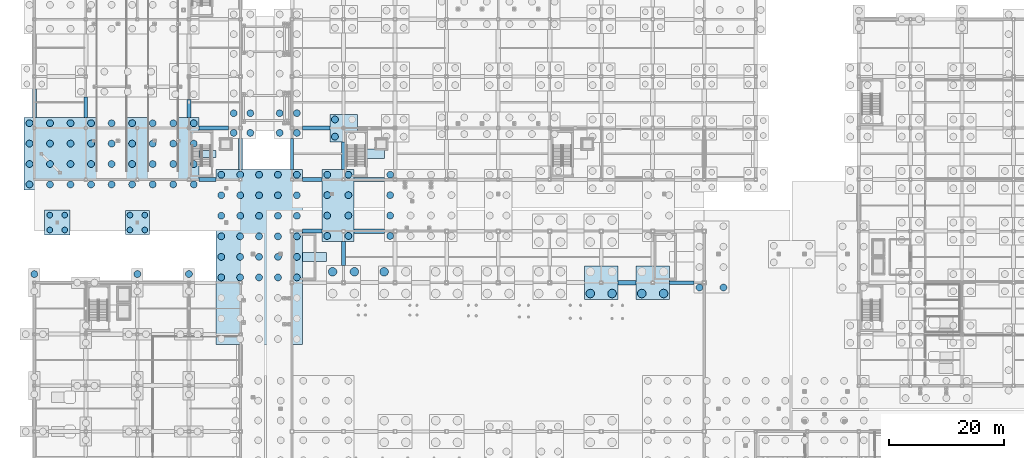
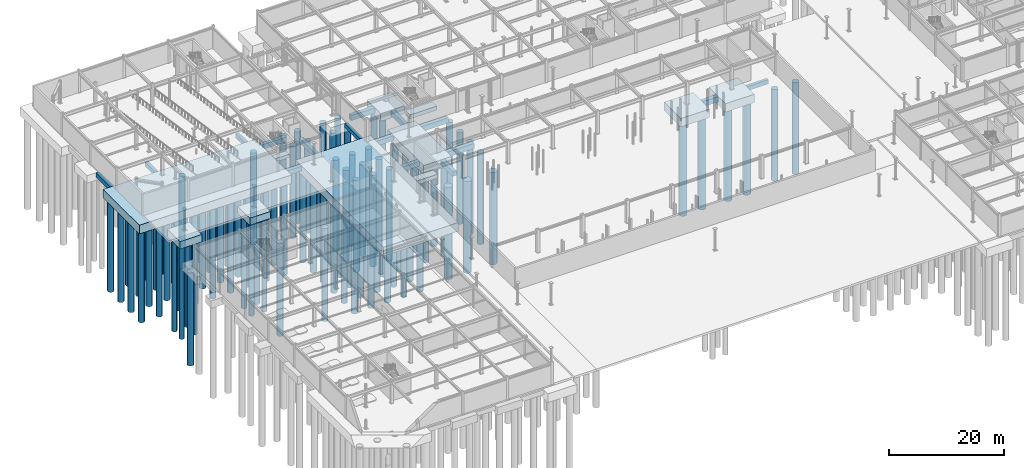
# One storey, part 4 of 74: 108 piles, 27 footings.
"""IFC4 building model written with IfcOpenShell, lengths in metres."""

from ifc_helpers import new_model, si_unit, direction, frame, origin, origin_2d, place, context, subcontext, project, spatial, polyline, rectangle, circle, outline, extrude, material, material_profile, profile_set, type_object, element, save


model = new_model("IFC4")

# Units and contexts
model_context = context("Model", 3, precision=1e-05, world=origin(), true_north=direction((0.0, 1.0)))
body_context = subcontext(model_context, "Body", "Model", "MODEL_VIEW")
ifc_project = project(units=[si_unit("LENGTHUNIT", "METRE"), si_unit("AREAUNIT", "SQUARE_METRE"), si_unit("VOLUMEUNIT", "CUBIC_METRE"), si_unit("PLANEANGLEUNIT", "RADIAN"), si_unit("MASSUNIT", "GRAM", prefix="KILO")], contexts=[model_context])

# Site, building, storey
site_placement = place(None, origin())
site = spatial("IfcSite", under=ifc_project, at=site_placement, CompositionType="ELEMENT")
building_placement = place(site_placement, origin())
building = spatial("IfcBuilding", under=site, at=building_placement, Name="Suzunagisa Mobility Hub", CompositionType="ELEMENT")
storey_placement = place(building_placement, frame((0.0, 0.0, -4.800048828125)))
storey = spatial("IfcBuildingStorey", under=building, at=storey_placement, Name="B1", CompositionType="ELEMENT", Elevation=-4.800048828125)

# Piles
ifc_material_1 = material(Name="Concrete C30/37", Category="concrete")
ifc_material_profile_1 = material_profile(ifc_material_1, circle(Radius=0.60009765625, at=origin_2d()), Name="BORED PILE D1200")
ifc_profile_set_1 = profile_set([ifc_material_profile_1], Name="Concrete C30/37")
pile_type_1 = type_object("IfcPileType", Name="Bored Pile PL-01 D1200", PredefinedType="BORED", material=ifc_profile_set_1)
pile_placement = place(storey_placement, frame((0.0, 63.5, -1.919921875), z_axis=(0.0, 0.0, -1.0), x_axis=(1.0, 0.0, 0.0)))
element("IfcPile", 1, at=pile_placement, inside=storey, type_object=pile_type_1, Name="Bored Pile 6.2", PredefinedType="BORED", context=body_context, shape_type="SweptSolid", body=[
    extrude(circle(Radius=0.60009765625, at=origin_2d()), origin(), (0.0, 0.0, 1.0), 19.780029296875),
])
for number, where, z_axis, x_axis, name in (
    (2, (-0.85009765625, 79.14990234375, -2.159912109375), (0.0, 0.0, -1.0), (1.0, 0.0, 0.0), "Bored Pile 7.1"),
    (3, (-0.85009765625, 82.716796875, -2.159912109375), (0.0, 0.0, -1.0), (1.0, 0.0, 0.0), "Bored Pile 7.2"),
    (4, (-0.85009765625, 86.283203125, -2.159912109375), (0.0, 0.0, -1.0), (1.0, 0.0, 0.0), "Bored Pile 7.3"),
    (5, (-0.85009765625, 89.85009765625, -2.159912109375), (0.0, 0.0, -1.0), (1.0, 0.0, 0.0), "Bored Pile 7.4"),
    (6, (2.737548828125, 79.14990234375, -2.159912109375), (0.0, 0.0, -1.0), (1.0, 0.0, 0.0), "Bored Pile 7.5"),
    (7, (2.737548828125, 82.716796875, -2.159912109375), (0.0, 0.0, -1.0), (1.0, 0.0, 0.0), "Bored Pile 7.6"),
    (8, (2.737548828125, 86.283203125, -2.159912109375), (0.0, 0.0, -1.0), (1.0, 0.0, 0.0), "Bored Pile 7.7"),
    (9, (2.737548828125, 89.85009765625, -2.159912109375), (0.0, 0.0, -1.0), (1.0, 0.0, 0.0), "Bored Pile 7.8"),
    (10, (6.324951171875, 79.14990234375, -2.159912109375), (0.0, 0.0, -1.0), (1.0, 0.0, 0.0), "Bored Pile 7.9"),
    (11, (6.324951171875, 82.716796875, -2.159912109375), (0.0, 0.0, -1.0), (1.0, 0.0, 0.0), "Bored Pile 7.10"),
    (12, (6.324951171875, 86.283203125, -2.159912109375), (0.0, 0.0, -1.0), (1.0, 0.0, 0.0), "Bored Pile 7.11"),
    (13, (6.324951171875, 89.85009765625, -2.159912109375), (0.0, 0.0, -1.0), (1.0, 0.0, 0.0), "Bored Pile 7.12"),
    (14, (9.91259765625, 79.14990234375, -2.159912109375), (0.0, 0.0, -1.0), (1.0, 0.0, 0.0), "Bored Pile 7.13"),
    (15, (9.91259765625, 82.716796875, -2.159912109375), (0.0, 0.0, -1.0), (1.0, 0.0, 0.0), "Bored Pile 7.14"),
    (16, (9.91259765625, 86.283203125, -2.159912109375), (0.0, 0.0, -1.0), (1.0, 0.0, 0.0), "Bored Pile 7.15"),
    (17, (9.91259765625, 89.85009765625, -2.159912109375), (0.0, 0.0, -1.0), (1.0, 0.0, 0.0), "Bored Pile 7.16"),
    (18, (13.5, 79.14990234375, -2.159912109375), (0.0, 0.0, -1.0), (1.0, 0.0, 0.0), "Bored Pile 7.17"),
    (19, (13.5, 82.716796875, -2.159912109375), (0.0, 0.0, -1.0), (1.0, 0.0, 0.0), "Bored Pile 7.18"),
    (20, (13.5, 86.283203125, -2.159912109375), (0.0, 0.0, -1.0), (1.0, 0.0, 0.0), "Bored Pile 7.19"),
    (21, (13.5, 89.85009765625, -2.159912109375), (0.0, 0.0, -1.0), (1.0, 0.0, 0.0), "Bored Pile 7.20"),
    (22, (17.08740234375, 79.14990234375, -2.159912109375), (0.0, 0.0, -1.0), (1.0, 0.0, 0.0), "Bored Pile 7.21"),
    (23, (17.08740234375, 82.716796875, -2.159912109375), (0.0, 0.0, -1.0), (1.0, 0.0, 0.0), "Bored Pile 7.22"),
    (24, (17.08740234375, 86.283203125, -2.159912109375), (0.0, 0.0, -1.0), (1.0, 0.0, 0.0), "Bored Pile 7.23"),
    (25, (17.08740234375, 89.85009765625, -2.159912109375), (0.0, 0.0, -1.0), (1.0, 0.0, 0.0), "Bored Pile 7.24"),
    (26, (20.675048828125, 79.14990234375, -2.159912109375), (0.0, 0.0, -1.0), (1.0, 0.0, 0.0), "Bored Pile 7.25"),
    (27, (20.675048828125, 82.716796875, -2.159912109375), (0.0, 0.0, -1.0), (1.0, 0.0, 0.0), "Bored Pile 7.26"),
    (28, (20.675048828125, 86.283203125, -2.159912109375), (0.0, 0.0, -1.0), (1.0, 0.0, 0.0), "Bored Pile 7.27"),
    (29, (20.675048828125, 89.85009765625, -2.159912109375), (0.0, 0.0, -1.0), (1.0, 0.0, 0.0), "Bored Pile 7.28"),
    (30, (24.262451171875, 79.14990234375, -2.159912109375), (0.0, 0.0, -1.0), (1.0, 0.0, 0.0), "Bored Pile 7.29"),
    (31, (24.262451171875, 82.716796875, -2.159912109375), (0.0, 0.0, -1.0), (1.0, 0.0, 0.0), "Bored Pile 7.30"),
    (32, (24.262451171875, 86.283203125, -2.159912109375), (0.0, 0.0, -1.0), (1.0, 0.0, 0.0), "Bored Pile 7.31"),
    (33, (24.262451171875, 89.85009765625, -2.159912109375), (0.0, 0.0, -1.0), (1.0, 0.0, 0.0), "Bored Pile 7.32"),
    (34, (27.85009765625, 79.14990234375, -2.159912109375), (0.0, 0.0, -1.0), (1.0, 0.0, 0.0), "Bored Pile 7.33"),
    (35, (27.85009765625, 82.716796875, -2.159912109375), (0.0, 0.0, -1.0), (1.0, 0.0, 0.0), "Bored Pile 7.34"),
    (36, (27.85009765625, 86.283203125, -2.159912109375), (0.0, 0.0, -1.0), (1.0, 0.0, 0.0), "Bored Pile 7.35"),
    (37, (27.85009765625, 89.85009765625, -2.159912109375), (0.0, 0.0, -1.0), (1.0, 0.0, 0.0), "Bored Pile 7.36"),
):
    element("IfcPile", number, at=place(storey_placement, frame(where, z_axis=z_axis, x_axis=x_axis)), inside=storey, type_object=pile_type_1, Name=name, PredefinedType="BORED", context=body_context, shape_type="SweptSolid", body=[
        extrude(circle(Radius=0.60009765625, at=origin_2d()), origin(), (0.0, 0.0, 1.0), 19.5400390625),
    ])
for number, where, z_axis, x_axis, name in (
    (38, (18.0, 63.5, -1.919921875), (0.0, 0.0, -1.0), (1.0, 0.0, 0.0), "Bored Pile 24.2"),
    (39, (27.0, 63.5, -1.919921875), (0.0, 0.0, -1.0), (1.0, 0.0, 0.0), "Bored Pile 34.2"),
):
    element("IfcPile", number, at=place(storey_placement, frame(where, z_axis=z_axis, x_axis=x_axis)), inside=storey, type_object=pile_type_1, Name=name, PredefinedType="BORED", context=body_context, shape_type="SweptSolid", body=[
        extrude(circle(Radius=0.60009765625, at=origin_2d()), origin(), (0.0, 0.0, 1.0), 19.780029296875),
    ])
for number, where, z_axis, x_axis, name in (
    (40, (32.64990234375, 62.91259765625, -2.199951171875), (0.0, 0.0, -1.0), (1.0, 0.0, 0.0), "Bored Pile 35.4"),
    (41, (32.64990234375, 66.5, -2.199951171875), (0.0, 0.0, -1.0), (1.0, 0.0, 0.0), "Bored Pile 35.5"),
    (42, (32.64990234375, 70.08740234375, -2.199951171875), (0.0, 0.0, -1.0), (1.0, 0.0, 0.0), "Bored Pile 35.6"),
    (43, (32.64990234375, 73.675048828125, -2.199951171875), (0.0, 0.0, -1.0), (1.0, 0.0, 0.0), "Bored Pile 35.7"),
    (44, (32.64990234375, 77.262451171875, -2.199951171875), (0.0, 0.0, -1.0), (1.0, 0.0, 0.0), "Bored Pile 35.8"),
    (45, (32.64990234375, 80.85009765625, -2.199951171875), (0.0, 0.0, -1.0), (1.0, 0.0, 0.0), "Bored Pile 35.9"),
    (46, (35.949951171875, 62.91259765625, -2.199951171875), (0.0, 0.0, -1.0), (1.0, 0.0, 0.0), "Bored Pile 35.13"),
    (47, (35.949951171875, 66.5, -2.199951171875), (0.0, 0.0, -1.0), (1.0, 0.0, 0.0), "Bored Pile 35.14"),
    (48, (35.949951171875, 70.08740234375, -2.199951171875), (0.0, 0.0, -1.0), (1.0, 0.0, 0.0), "Bored Pile 35.15"),
    (49, (35.949951171875, 73.675048828125, -2.199951171875), (0.0, 0.0, -1.0), (1.0, 0.0, 0.0), "Bored Pile 35.16"),
    (50, (35.949951171875, 77.262451171875, -2.199951171875), (0.0, 0.0, -1.0), (1.0, 0.0, 0.0), "Bored Pile 35.17"),
    (51, (35.949951171875, 80.85009765625, -2.199951171875), (0.0, 0.0, -1.0), (1.0, 0.0, 0.0), "Bored Pile 35.18"),
    (52, (39.25, 62.91259765625, -2.199951171875), (0.0, 0.0, -1.0), (1.0, 0.0, 0.0), "Bored Pile 35.22"),
    (53, (39.25, 66.5, -2.199951171875), (0.0, 0.0, -1.0), (1.0, 0.0, 0.0), "Bored Pile 35.23"),
    (54, (39.25, 70.08740234375, -2.199951171875), (0.0, 0.0, -1.0), (1.0, 0.0, 0.0), "Bored Pile 35.24"),
    (55, (39.25, 73.675048828125, -2.199951171875), (0.0, 0.0, -1.0), (1.0, 0.0, 0.0), "Bored Pile 35.25"),
    (56, (39.25, 77.262451171875, -2.199951171875), (0.0, 0.0, -1.0), (1.0, 0.0, 0.0), "Bored Pile 35.26"),
    (57, (39.25, 80.85009765625, -2.199951171875), (0.0, 0.0, -1.0), (1.0, 0.0, 0.0), "Bored Pile 35.27"),
    (58, (42.550048828125, 62.91259765625, -2.199951171875), (0.0, 0.0, -1.0), (1.0, 0.0, 0.0), "Bored Pile 35.31"),
    (59, (42.550048828125, 66.5, -2.199951171875), (0.0, 0.0, -1.0), (1.0, 0.0, 0.0), "Bored Pile 35.32"),
    (60, (42.550048828125, 70.08740234375, -2.199951171875), (0.0, 0.0, -1.0), (1.0, 0.0, 0.0), "Bored Pile 35.33"),
    (61, (42.550048828125, 73.675048828125, -2.199951171875), (0.0, 0.0, -1.0), (1.0, 0.0, 0.0), "Bored Pile 35.34"),
    (62, (42.550048828125, 77.262451171875, -2.199951171875), (0.0, 0.0, -1.0), (1.0, 0.0, 0.0), "Bored Pile 35.35"),
    (63, (42.550048828125, 80.85009765625, -2.199951171875), (0.0, 0.0, -1.0), (1.0, 0.0, 0.0), "Bored Pile 35.36"),
    (64, (45.85009765625, 62.91259765625, -2.199951171875), (0.0, 0.0, -1.0), (1.0, 0.0, 0.0), "Bored Pile 35.40"),
    (65, (45.85009765625, 66.5, -2.199951171875), (0.0, 0.0, -1.0), (1.0, 0.0, 0.0), "Bored Pile 35.41"),
    (66, (45.85009765625, 70.08740234375, -2.199951171875), (0.0, 0.0, -1.0), (1.0, 0.0, 0.0), "Bored Pile 35.42"),
    (67, (45.85009765625, 73.675048828125, -2.199951171875), (0.0, 0.0, -1.0), (1.0, 0.0, 0.0), "Bored Pile 35.43"),
    (68, (45.85009765625, 77.262451171875, -2.199951171875), (0.0, 0.0, -1.0), (1.0, 0.0, 0.0), "Bored Pile 35.44"),
    (69, (45.85009765625, 80.85009765625, -2.199951171875), (0.0, 0.0, -1.0), (1.0, 0.0, 0.0), "Bored Pile 35.45"),
):
    element("IfcPile", number, at=place(storey_placement, frame(where, z_axis=z_axis, x_axis=x_axis)), inside=storey, type_object=pile_type_1, Name=name, PredefinedType="BORED", context=body_context, shape_type="SweptSolid", body=[
        extrude(circle(Radius=0.60009765625, at=origin_2d()), origin(), (0.0, 0.0, 1.0), 19.5),
    ])
for number, where, z_axis, x_axis, name in (
    (70, (34.824951171875, 88.14990234375, -2.159912109375), (0.0, 0.0, -1.0), (1.0, 0.0, 0.0), "Bored Pile 39.1"),
    (71, (34.824951171875, 91.60009765625, -2.159912109375), (0.0, 0.0, -1.0), (1.0, 0.0, 0.0), "Bored Pile 39.2"),
    (72, (37.72509765625, 88.14990234375, -2.159912109375), (0.0, 0.0, -1.0), (1.0, 0.0, 0.0), "Bored Pile 39.8"),
    (73, (37.72509765625, 91.60009765625, -2.159912109375), (0.0, 0.0, -1.0), (1.0, 0.0, 0.0), "Bored Pile 39.9"),
):
    element("IfcPile", number, at=place(storey_placement, frame(where, z_axis=z_axis, x_axis=x_axis)), inside=storey, type_object=pile_type_1, Name=name, PredefinedType="BORED", context=body_context, shape_type="SweptSolid", body=[
        extrude(circle(Radius=0.60009765625, at=origin_2d()), origin(), (0.0, 0.0, 1.0), 19.5400390625),
    ])
for number, where, z_axis, x_axis, name in (
    (74, (42.85009765625, 88.14990234375, -2.199951171875), (0.0, 0.0, -1.0), (1.0, 0.0, 0.0), "Bored Pile 41.1"),
    (75, (42.85009765625, 91.60009765625, -2.199951171875), (0.0, 0.0, -1.0), (1.0, 0.0, 0.0), "Bored Pile 41.2"),
    (76, (45.85009765625, 88.14990234375, -2.199951171875), (0.0, 0.0, -1.0), (1.0, 0.0, 0.0), "Bored Pile 41.8"),
    (77, (45.85009765625, 91.60009765625, -2.199951171875), (0.0, 0.0, -1.0), (1.0, 0.0, 0.0), "Bored Pile 41.9"),
    (78, (51.14990234375, 70.14990234375, -2.199951171875), (0.0, 0.0, -1.0), (1.0, 0.0, 0.0), "Bored Pile 43.1"),
    (79, (51.14990234375, 73.716796875, -2.199951171875), (0.0, 0.0, -1.0), (1.0, 0.0, 0.0), "Bored Pile 43.2"),
    (80, (51.14990234375, 77.283203125, -2.199951171875), (0.0, 0.0, -1.0), (1.0, 0.0, 0.0), "Bored Pile 43.3"),
    (81, (51.14990234375, 80.85009765625, -2.199951171875), (0.0, 0.0, -1.0), (1.0, 0.0, 0.0), "Bored Pile 43.4"),
    (82, (54.85009765625, 70.14990234375, -2.199951171875), (0.0, 0.0, -1.0), (1.0, 0.0, 0.0), "Bored Pile 43.5"),
    (83, (54.85009765625, 73.716796875, -2.199951171875), (0.0, 0.0, -1.0), (1.0, 0.0, 0.0), "Bored Pile 43.6"),
    (84, (54.85009765625, 77.283203125, -2.199951171875), (0.0, 0.0, -1.0), (1.0, 0.0, 0.0), "Bored Pile 43.7"),
    (85, (54.85009765625, 80.85009765625, -2.199951171875), (0.0, 0.0, -1.0), (1.0, 0.0, 0.0), "Bored Pile 43.8"),
):
    element("IfcPile", number, at=place(storey_placement, frame(where, z_axis=z_axis, x_axis=x_axis)), inside=storey, type_object=pile_type_1, Name=name, PredefinedType="BORED", context=body_context, shape_type="SweptSolid", body=[
        extrude(circle(Radius=0.60009765625, at=origin_2d()), origin(), (0.0, 0.0, 1.0), 19.5),
    ])
for number, where, z_axis, x_axis, name in (
    (86, (52.5, 87.5, -2.0), (0.0, 0.0, -1.0), (1.0, 0.0, 0.0), "Bored Pile 45.1"),
    (87, (52.5, 90.5, -2.0), (0.0, 0.0, -1.0), (1.0, 0.0, 0.0), "Bored Pile 45.3"),
):
    element("IfcPile", number, at=place(storey_placement, frame(where, z_axis=z_axis, x_axis=x_axis)), inside=storey, type_object=pile_type_1, Name=name, PredefinedType="BORED", context=body_context, shape_type="SweptSolid", body=[
        extrude(circle(Radius=0.60009765625, at=origin_2d()), origin(), (0.0, 0.0, 1.0), 19.699951171875),
    ])
for number, where, z_axis, x_axis, name in (
    (88, (62.14990234375, 70.14990234375, -2.199951171875), (0.0, 0.0, -1.0), (1.0, 0.0, 0.0), "Bored Pile 52.1"),
    (89, (62.14990234375, 73.716796875, -2.199951171875), (0.0, 0.0, -1.0), (1.0, 0.0, 0.0), "Bored Pile 52.2"),
    (90, (62.14990234375, 77.283203125, -2.199951171875), (0.0, 0.0, -1.0), (1.0, 0.0, 0.0), "Bored Pile 52.3"),
    (91, (62.14990234375, 80.85009765625, -2.199951171875), (0.0, 0.0, -1.0), (1.0, 0.0, 0.0), "Bored Pile 52.4"),
):
    element("IfcPile", number, at=place(storey_placement, frame(where, z_axis=z_axis, x_axis=x_axis)), inside=storey, type_object=pile_type_1, Name=name, PredefinedType="BORED", context=body_context, shape_type="SweptSolid", body=[
        extrude(circle(Radius=0.60009765625, at=origin_2d()), origin(), (0.0, 0.0, 1.0), 19.5),
    ])
for number, where, z_axis, x_axis, name in (
    (92, (116.14990234375, 61.14990234375, -2.14990234375), (0.0, 0.0, -1.0), (1.0, 0.0, 0.0), "Bored Pile 89.1"),
    (93, (120.35009765625, 61.14990234375, -2.14990234375), (0.0, 0.0, -1.0), (1.0, 0.0, 0.0), "Bored Pile 89.5"),
):
    element("IfcPile", number, at=place(storey_placement, frame(where, z_axis=z_axis, x_axis=x_axis)), inside=storey, type_object=pile_type_1, Name=name, PredefinedType="BORED", context=body_context, shape_type="SweptSolid", body=[
        extrude(circle(Radius=0.60009765625, at=origin_2d()), origin(), (0.0, 0.0, 1.0), 19.550048828125),
    ])
ifc_material_profile_2 = material_profile(ifc_material_1, circle(Radius=0.5, at=origin_2d()), Name="BORED PILE D1000")
ifc_profile_set_2 = profile_set([ifc_material_profile_2], Name="Concrete C30/37")
pile_type_2 = type_object("IfcPileType", Name="Bored Pile PL-02 D1000", PredefinedType="BORED", material=ifc_profile_set_2)
for number, where, z_axis, x_axis, name in (
    (94, (2.699951171875, 71.199951171875, -1.869873046875), (0.0, 0.0, -1.0), (1.0, 0.0, 0.0), "Bored Pile 10.1"),
    (95, (5.300048828125, 71.199951171875, -1.869873046875), (0.0, 0.0, -1.0), (1.0, 0.0, 0.0), "Bored Pile 10.2"),
    (96, (2.699951171875, 73.800048828125, -1.869873046875), (0.0, 0.0, -1.0), (1.0, 0.0, 0.0), "Bored Pile 10.3"),
    (97, (5.300048828125, 73.800048828125, -1.869873046875), (0.0, 0.0, -1.0), (1.0, 0.0, 0.0), "Bored Pile 10.4"),
):
    element("IfcPile", number, at=place(storey_placement, frame(where, z_axis=z_axis, x_axis=x_axis)), inside=storey, type_object=pile_type_2, Name=name, PredefinedType="BORED", context=body_context, shape_type="SweptSolid", body=[
        extrude(circle(Radius=0.5, at=origin_2d()), origin(), (0.0, 0.0, 1.0), 19.830078125),
    ])
for number, where, z_axis, x_axis, name in (
    (98, (16.699951171875, 71.199951171875, -1.77001953125), (0.0, 0.0, -1.0), (1.0, 0.0, 0.0), "Bored Pile 25.1"),
    (99, (19.300048828125, 71.199951171875, -1.77001953125), (0.0, 0.0, -1.0), (1.0, 0.0, 0.0), "Bored Pile 25.2"),
    (100, (16.699951171875, 73.800048828125, -1.77001953125), (0.0, 0.0, -1.0), (1.0, 0.0, 0.0), "Bored Pile 25.3"),
    (101, (19.300048828125, 73.800048828125, -1.77001953125), (0.0, 0.0, -1.0), (1.0, 0.0, 0.0), "Bored Pile 25.4"),
):
    element("IfcPile", number, at=place(storey_placement, frame(where, z_axis=z_axis, x_axis=x_axis)), inside=storey, type_object=pile_type_2, Name=name, PredefinedType="BORED", context=body_context, shape_type="SweptSolid", body=[
        extrude(circle(Radius=0.5, at=origin_2d()), origin(), (0.0, 0.0, 1.0), 19.929931640625),
    ])
ifc_material_profile_3 = material_profile(ifc_material_1, circle(Radius=0.75, at=origin_2d()), Name="BORED PILE D1500")
ifc_profile_set_3 = profile_set([ifc_material_profile_3], Name="Concrete C30/37")
pile_type_3 = type_object("IfcPileType", Name="Bored Pile PL-03 D1500", PredefinedType="BORED", material=ifc_profile_set_3)
for number, where, z_axis, x_axis, name in (
    (102, (52.10009765625, 63.89990234375, -2.14990234375), (0.0, 0.0, -1.0), (1.0, 0.0, 0.0), "Bored Pile 44.3"),
    (103, (55.89990234375, 63.89990234375, -2.14990234375), (0.0, 0.0, -1.0), (1.0, 0.0, 0.0), "Bored Pile 44.4"),
):
    element("IfcPile", number, at=place(storey_placement, frame(where, z_axis=z_axis, x_axis=x_axis)), inside=storey, type_object=pile_type_3, Name=name, PredefinedType="BORED", context=body_context, shape_type="SweptSolid", body=[
        extrude(circle(Radius=0.75, at=origin_2d()), origin(), (0.0, 0.0, 1.0), 19.550048828125),
    ])
for number, where, z_axis, x_axis, name in (
    (104, (61.10009765625, 63.89990234375, -2.099853515625), (0.0, 0.0, -1.0), (1.0, 0.0, 0.0), "Bored Pile 51.3"),
    (105, (97.10009765625, 60.10009765625, -2.099853515625), (0.0, 0.0, -1.0), (1.0, 0.0, 0.0), "Bored Pile 75.1"),
    (106, (100.89990234375, 60.10009765625, -2.099853515625), (0.0, 0.0, -1.0), (1.0, 0.0, 0.0), "Bored Pile 75.2"),
    (107, (106.10009765625, 60.10009765625, -2.099853515625), (0.0, 0.0, -1.0), (1.0, 0.0, 0.0), "Bored Pile 83.1"),
    (108, (109.89990234375, 60.10009765625, -2.099853515625), (0.0, 0.0, -1.0), (1.0, 0.0, 0.0), "Bored Pile 83.2"),
):
    element("IfcPile", number, at=place(storey_placement, frame(where, z_axis=z_axis, x_axis=x_axis)), inside=storey, type_object=pile_type_3, Name=name, PredefinedType="BORED", context=body_context, shape_type="SweptSolid", body=[
        extrude(circle(Radius=0.75, at=origin_2d()), origin(), (0.0, 0.0, 1.0), 19.60009765625),
    ])

# Footings
ifc_material_2 = material(Name="Concrete C35/45", Category="concrete")
footing_type_1 = type_object("IfcFootingType", Name="Combined Prow Pile Cap FR-02 30600x12600x1850", PredefinedType="PILE_CAP", material=ifc_material_2)
footing_1_placement = place(storey_placement, frame((13.5, 84.5, -2.31005859375), z_axis=(0.0, 0.0, 1.0), x_axis=(1.0, 0.0, 0.0)))
element("IfcFooting", 109, at=footing_1_placement, inside=storey, type_object=footing_type_1, Name="Combined Prow Pile Cap 7", PredefinedType="PILE_CAP", context=body_context, shape_type="SweptSolid", body=[
    extrude(rectangle(XDim=30.60009765625, YDim=12.60009765625, at=origin_2d()), origin(), (0.0, 0.0, 1.0), 1.85009765625),
])
footing_type_2 = type_object("IfcFootingType", Name="Combined Prow Pile Cap FR-06 15100x30600x1850", PredefinedType="PILE_CAP", material=ifc_material_2)
footing_2_placement = place(storey_placement, frame((39.25, 66.5, -2.35009765625), z_axis=(0.0, 0.0, 1.0), x_axis=(1.0, 0.0, 0.0)))
element("IfcFooting", 110, at=footing_2_placement, inside=storey, type_object=footing_type_2, Name="Combined Prow Pile Cap 35", PredefinedType="PILE_CAP", context=body_context, shape_type="SweptSolid", body=[
    extrude(rectangle(XDim=15.10009765625, YDim=30.60009765625, at=origin_2d()), origin(), (0.0, 0.0, 1.0), 1.85009765625),
])
footing_type_3 = type_object("IfcFootingType", Name="Combined Prow Pile Cap FR-11 5600x12600x1850", PredefinedType="PILE_CAP", material=ifc_material_2)
footing_3_placement = place(storey_placement, frame((53.0, 75.5, -2.35009765625), z_axis=(0.0, 0.0, 1.0), x_axis=(1.0, 0.0, 0.0)))
element("IfcFooting", 111, at=footing_3_placement, inside=storey, type_object=footing_type_3, Name="Combined Prow Pile Cap 43", PredefinedType="PILE_CAP", context=body_context, shape_type="SweptSolid", body=[
    extrude(rectangle(XDim=5.60009765625, YDim=12.60009765625, at=origin_2d()), origin(), (0.0, 0.0, 1.0), 1.85009765625),
])
footing_type_4 = type_object("IfcFootingType", Name="Ground Tie Beam FT-03 750x1100", PredefinedType="FOOTING_BEAM", material=ifc_material_2)
footing_4_placement = place(storey_placement, frame((0.0, 0.0, -1.550048828125)))
element("IfcFooting", 112, at=footing_4_placement, inside=storey, type_object=footing_type_4, Name="Foundation Tie Beam TBX-72", PredefinedType="FOOTING_BEAM", context=body_context, shape_type="SweptSolid", body=[
    extrude(outline(polyline([(101.89990234375, 61.625), (105.10009765625, 61.625), (105.10009765625, 62.375), (101.89990234375, 62.375), (101.89990234375, 61.625)])), origin(), (0.0, 0.0, 1.0), 1.10009765625),
])
footing_5_placement = place(storey_placement, frame((0.0, 0.0, -1.599853515625)))
element("IfcFooting", 113, at=footing_5_placement, inside=storey, type_object=footing_type_4, Name="Foundation Tie Beam TBX-80", PredefinedType="FOOTING_BEAM", context=body_context, shape_type="SweptSolid", body=[
    extrude(outline(polyline([(55.800048828125, 70.625), (61.199951171875, 70.625), (61.199951171875, 71.375), (55.800048828125, 71.375), (55.800048828125, 70.625)])), origin(), (0.0, 0.0, 1.0), 1.099853515625),
])
footing_6_placement = place(storey_placement, frame((0.0, 0.0, -1.599853515625)))
element("IfcFooting", 114, at=footing_6_placement, inside=storey, type_object=footing_type_4, Name="Foundation Tie Beam TBX-92", PredefinedType="FOOTING_BEAM", context=body_context, shape_type="SweptSolid", body=[
    extrude(outline(polyline([(55.800048828125, 79.625), (61.199951171875, 79.625), (61.199951171875, 80.375), (55.800048828125, 80.375), (55.800048828125, 79.625)])), origin(), (0.0, 0.0, 1.0), 1.099853515625),
])
footing_7_placement = place(storey_placement, frame((0.0, 0.0, -1.599853515625)))
element("IfcFooting", 115, at=footing_7_placement, inside=storey, type_object=footing_type_4, Name="Foundation Tie Beam TBX-104", PredefinedType="FOOTING_BEAM", context=body_context, shape_type="SweptSolid", body=[
    extrude(outline(polyline([(46.800048828125, 88.625), (51.60009765625, 88.625), (51.60009765625, 89.375), (46.800048828125, 89.375), (46.800048828125, 88.625)])), origin(), (0.0, 0.0, 1.0), 1.099853515625),
])
footing_8_placement = place(storey_placement, frame((0.0, 0.0, -1.599853515625)))
element("IfcFooting", 116, at=footing_8_placement, inside=storey, type_object=footing_type_4, Name="Foundation Tie Beam TBY-184", PredefinedType="FOOTING_BEAM", context=body_context, shape_type="SweptSolid", body=[
    extrude(outline(polyline([(53.625, 81.800048828125), (54.375, 81.800048828125), (54.375, 86.60009765625), (53.625, 86.60009765625), (53.625, 81.800048828125)])), origin(), (0.0, 0.0, 1.0), 1.099853515625),
])
footing_type_5 = type_object("IfcFootingType", Name="Ground Tie Beam FT-05 600x900", PredefinedType="FOOTING_BEAM", material=ifc_material_2)
footing_9_placement = place(storey_placement, frame((0.0, 0.0, -1.349853515625)))
element("IfcFooting", 117, at=footing_9_placement, inside=storey, type_object=footing_type_5, Name="Foundation Tie Beam TBX-73", PredefinedType="FOOTING_BEAM", context=body_context, shape_type="SweptSolid", body=[
    extrude(outline(polyline([(110.89990234375, 61.699951171875), (115.199951171875, 61.699951171875), (115.199951171875, 62.300048828125), (110.89990234375, 62.300048828125), (110.89990234375, 61.699951171875)])), origin(), (0.0, 0.0, 1.0), 0.89990234375),
])
footing_10_placement = place(storey_placement, frame((0.0, 0.0, -1.39990234375)))
element("IfcFooting", 118, at=footing_10_placement, inside=storey, type_object=footing_type_5, Name="Foundation Tie Beam TBY-181", PredefinedType="FOOTING_BEAM", context=body_context, shape_type="SweptSolid", body=[
    extrude(outline(polyline([(44.699951171875, 81.800048828125), (45.300048828125, 81.800048828125), (45.300048828125, 87.199951171875), (44.699951171875, 87.199951171875), (44.699951171875, 81.800048828125)])), origin(), (0.0, 0.0, 1.0), 0.89990234375),
])
footing_type_6 = type_object("IfcFootingType", Name="Ground Tie Beam FT-07 650x950", PredefinedType="FOOTING_BEAM", material=ifc_material_2)
footing_11_placement = place(storey_placement, frame((0.0, 0.0, -1.449951171875)))
element("IfcFooting", 119, at=footing_11_placement, inside=storey, type_object=footing_type_6, Name="Foundation Tie Beam TBX-90", PredefinedType="FOOTING_BEAM", context=body_context, shape_type="SweptSolid", body=[
    extrude(outline(polyline([(28.800048828125, 79.675048828125), (31.699951171875, 79.675048828125), (31.699951171875, 80.324951171875), (28.800048828125, 80.324951171875), (28.800048828125, 79.675048828125)])), origin(), (0.0, 0.0, 1.0), 0.949951171875),
])
footing_12_placement = place(storey_placement, frame((0.0, 0.0, -1.409912109375)))
element("IfcFooting", 120, at=footing_12_placement, inside=storey, type_object=footing_type_6, Name="Foundation Tie Beam TBY-158", PredefinedType="FOOTING_BEAM", context=body_context, shape_type="SweptSolid", body=[
    extrude(outline(polyline([(8.675048828125, 90.800048828125), (9.324951171875, 90.800048828125), (9.324951171875, 94.39990234375), (8.675048828125, 94.39990234375), (8.675048828125, 90.800048828125)])), origin(), (0.0, 0.0, 1.0), 0.949951171875),
])
footing_13_placement = place(storey_placement, frame((0.0, 0.0, -1.409912109375)))
element("IfcFooting", 121, at=footing_13_placement, inside=storey, type_object=footing_type_6, Name="Foundation Tie Beam TBY-174", PredefinedType="FOOTING_BEAM", context=body_context, shape_type="SweptSolid", body=[
    extrude(outline(polyline([(26.675048828125, 90.800048828125), (27.324951171875, 90.800048828125), (27.324951171875, 93.9599609375), (26.675048828125, 93.9599609375), (26.675048828125, 90.800048828125)])), origin(), (0.0, 0.0, 1.0), 0.949951171875),
])
footing_type_7 = type_object("IfcFootingType", Name="Ground Tie Beam FT-23 700x1000", PredefinedType="FOOTING_BEAM", material=ifc_material_2)
footing_14_placement = place(storey_placement, frame((0.0, 0.0, -1.5)))
element("IfcFooting", 122, at=footing_14_placement, inside=storey, type_object=footing_type_7, Name="Foundation Tie Beam TBX-79", PredefinedType="FOOTING_BEAM", context=body_context, shape_type="SweptSolid", body=[
    extrude(outline(polyline([(46.800048828125, 70.64990234375), (50.199951171875, 70.64990234375), (50.199951171875, 71.35009765625), (46.800048828125, 71.35009765625), (46.800048828125, 70.64990234375)])), origin(), (0.0, 0.0, 1.0), 1.0),
])
footing_15_placement = place(storey_placement, frame((0.0, 0.0, -1.5)))
element("IfcFooting", 123, at=footing_15_placement, inside=storey, type_object=footing_type_7, Name="Foundation Tie Beam TBX-91", PredefinedType="FOOTING_BEAM", context=body_context, shape_type="SweptSolid", body=[
    extrude(outline(polyline([(46.800048828125, 79.64990234375), (50.199951171875, 79.64990234375), (50.199951171875, 80.35009765625), (46.800048828125, 80.35009765625), (46.800048828125, 79.64990234375)])), origin(), (0.0, 0.0, 1.0), 1.0),
])
footing_16_placement = place(storey_placement, frame((0.0, 0.0, -1.4599609375)))
element("IfcFooting", 124, at=footing_16_placement, inside=storey, type_object=footing_type_7, Name="Foundation Tie Beam TBX-103", PredefinedType="FOOTING_BEAM", context=body_context, shape_type="SweptSolid", body=[
    extrude(outline(polyline([(28.800048828125, 88.64990234375), (33.875, 88.64990234375), (33.875, 89.35009765625), (28.800048828125, 89.35009765625), (28.800048828125, 88.64990234375)])), origin(), (0.0, 0.0, 1.0), 1.0),
])
footing_17_placement = place(storey_placement, frame((0.0, 0.0, -1.4599609375)))
element("IfcFooting", 125, at=footing_17_placement, inside=storey, type_object=footing_type_7, Name="Foundation Tie Beam TBY-151", PredefinedType="FOOTING_BEAM", context=body_context, shape_type="SweptSolid", body=[
    extrude(outline(polyline([(-0.35009765625, 90.800048828125), (0.35009765625, 90.800048828125), (0.35009765625, 95.800048828125), (-0.35009765625, 95.800048828125), (-0.35009765625, 90.800048828125)])), origin(), (0.0, 0.0, 1.0), 1.0),
])
footing_18_placement = place(storey_placement, frame((0.0, 0.0, -1.5)))
element("IfcFooting", 126, at=footing_18_placement, inside=storey, type_object=footing_type_7, Name="Foundation Tie Beam TBY-179", PredefinedType="FOOTING_BEAM", context=body_context, shape_type="SweptSolid", body=[
    extrude(outline(polyline([(35.64990234375, 81.800048828125), (36.35009765625, 81.800048828125), (36.35009765625, 87.199951171875), (35.64990234375, 87.199951171875), (35.64990234375, 81.800048828125)])), origin(), (0.0, 0.0, 1.0), 1.0),
])
footing_19_placement = place(storey_placement, frame((0.0, 0.0, -1.5)))
element("IfcFooting", 127, at=footing_19_placement, inside=storey, type_object=footing_type_7, Name="Foundation Tie Beam TBY-183", PredefinedType="FOOTING_BEAM", context=body_context, shape_type="SweptSolid", body=[
    extrude(outline(polyline([(53.64990234375, 65.0), (54.35009765625, 65.0), (54.35009765625, 69.199951171875), (53.64990234375, 69.199951171875), (53.64990234375, 65.0)])), origin(), (0.0, 0.0, 1.0), 1.0),
])
footing_type_8 = type_object("IfcFootingType", Name="Pile Cap FT-14 4800x4800x1650", PredefinedType="PILE_CAP", material=ifc_material_2)
footing_20_placement = place(storey_placement, frame((54.0, 89.0, -2.14990234375), z_axis=(0.0, 0.0, 1.0), x_axis=(1.0, 0.0, 0.0)))
element("IfcFooting", 128, at=footing_20_placement, inside=storey, type_object=footing_type_8, Name="Pile Cap 45", PredefinedType="PILE_CAP", context=body_context, shape_type="SweptSolid", body=[
    extrude(rectangle(XDim=4.800048828125, YDim=4.800048828125, at=origin_2d()), origin(), (0.0, 0.0, 1.0), 1.64990234375),
])
footing_type_9 = type_object("IfcFootingType", Name="Pile Cap FT-16 4400x4400x1600", PredefinedType="PILE_CAP", material=ifc_material_2)
footing_21_placement = place(storey_placement, frame((4.0, 72.5, -2.02001953125), z_axis=(0.0, 0.0, 1.0), x_axis=(1.0, 0.0, 0.0)))
element("IfcFooting", 129, at=footing_21_placement, inside=storey, type_object=footing_type_9, Name="Pile Cap 10", PredefinedType="PILE_CAP", context=body_context, shape_type="SweptSolid", body=[
    extrude(rectangle(XDim=4.39990234375, YDim=4.39990234375, at=origin_2d()), origin(), (0.0, 0.0, 1.0), 1.60009765625),
])
footing_type_10 = type_object("IfcFootingType", Name="Pile Cap FT-17 5800x5800x1800", PredefinedType="PILE_CAP", material=ifc_material_2)
for number, where, z_axis, x_axis, name in (
    (130, (99.0, 62.0, -2.25), (0.0, 0.0, 1.0), (1.0, 0.0, 0.0), "Pile Cap 75"),
    (131, (108.0, 62.0, -2.25), (0.0, 0.0, 1.0), (1.0, 0.0, 0.0), "Pile Cap 83"),
):
    element("IfcFooting", number, at=place(storey_placement, frame(where, z_axis=z_axis, x_axis=x_axis)), inside=storey, type_object=footing_type_10, Name=name, PredefinedType="PILE_CAP", context=body_context, shape_type="SweptSolid", body=[
        extrude(rectangle(XDim=5.800048828125, YDim=5.800048828125, at=origin_2d()), origin(), (0.0, 0.0, 1.0), 1.800048828125),
    ])
footing_type_11 = type_object("IfcFootingType", Name="Pile Cap FT-21 4200x4200x1500", PredefinedType="PILE_CAP", material=ifc_material_2)
footing_22_placement = place(storey_placement, frame((18.0, 72.5, -1.919921875), z_axis=(0.0, 0.0, 1.0), x_axis=(1.0, 0.0, 0.0)))
element("IfcFooting", 132, at=footing_22_placement, inside=storey, type_object=footing_type_11, Name="Pile Cap 25", PredefinedType="PILE_CAP", context=body_context, shape_type="SweptSolid", body=[
    extrude(rectangle(XDim=4.199951171875, YDim=4.199951171875, at=origin_2d()), origin(), (0.0, 0.0, 1.0), 1.5),
])
footing_type_12 = type_object("IfcFootingType", Name="Strip Footing FT-09 1600x850", PredefinedType="STRIP_FOOTING", material=ifc_material_2)
footing_23_placement = place(storey_placement, frame((0.0, 0.0, -1.349853515625)))
element("IfcFooting", 133, at=footing_23_placement, inside=storey, type_object=footing_type_12, Name="Core Strip Footing SF-3", PredefinedType="STRIP_FOOTING", context=body_context, shape_type="SweptSolid", body=[
    extrude(outline(polyline([(46.800048828125, 65.699951171875), (51.0, 65.699951171875), (51.0, 67.300048828125), (46.800048828125, 67.300048828125), (46.800048828125, 65.699951171875)])), origin(), (0.0, 0.0, 1.0), 0.849853515625),
])
footing_24_placement = place(storey_placement, frame((0.0, 0.0, -1.349853515625)))
element("IfcFooting", 134, at=footing_24_placement, inside=storey, type_object=footing_type_12, Name="Core Strip Footing SF-7", PredefinedType="STRIP_FOOTING", context=body_context, shape_type="SweptSolid", body=[
    extrude(outline(polyline([(55.800048828125, 83.699951171875), (61.199951171875, 83.699951171875), (61.199951171875, 85.300048828125), (55.800048828125, 85.300048828125), (55.800048828125, 83.699951171875)])), origin(), (0.0, 0.0, 1.0), 0.849853515625),
])
footing_type_13 = type_object("IfcFootingType", Name="Strip Footing FT-13 1200x700", PredefinedType="STRIP_FOOTING", material=ifc_material_2)
footing_25_placement = place(storey_placement, frame((0.0, 0.0, -1.199951171875)))
element("IfcFooting", 135, at=footing_25_placement, inside=storey, type_object=footing_type_13, Name="Core Strip Footing SF-5", PredefinedType="STRIP_FOOTING", context=body_context, shape_type="SweptSolid", body=[
    extrude(outline(polyline([(28.800048828125, 83.89990234375), (31.699951171875, 83.89990234375), (31.699951171875, 85.10009765625), (28.800048828125, 85.10009765625), (28.800048828125, 83.89990234375)])), origin(), (0.0, 0.0, 1.0), 0.699951171875),
])

save(model, "model.ifc")
